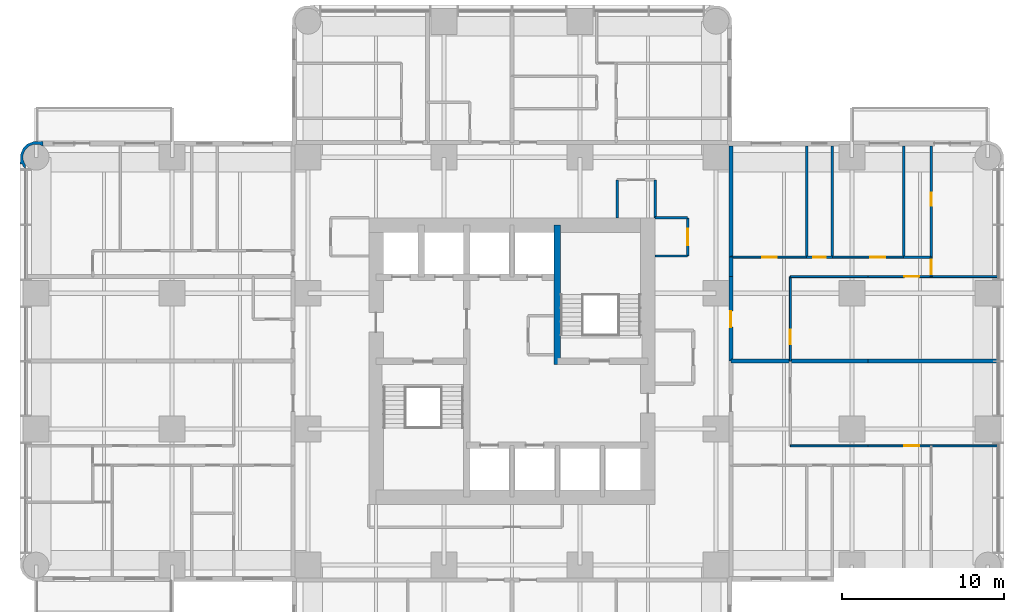
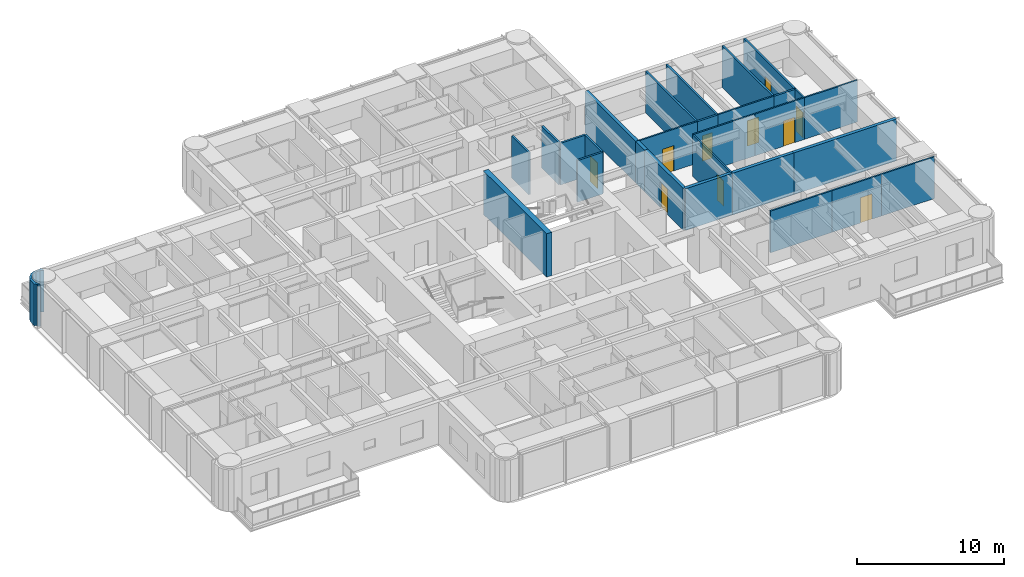
# One storey, part 10 of 14: 29 walls, 10 doors, 10 openings.
"""IFC4 building model written with IfcOpenShell, lengths in metres."""

from ifc_helpers import new_model, si_unit, direction, frame, frame_2d, origin, place, context, subcontext, project, spatial, polyline, rectangle, outline, extrude, material, layer, layer_set, type_object, element, fill, save


model = new_model("IFC4")

# Units and contexts
model_context = context("Model", 3, precision=1e-05, world=origin(), true_north=direction((0.0, 1.0)))
body_context = subcontext(model_context, "Body", "Model", "MODEL_VIEW")
ifc_project = project(units=[si_unit("LENGTHUNIT", "METRE"), si_unit("AREAUNIT", "SQUARE_METRE"), si_unit("VOLUMEUNIT", "CUBIC_METRE"), si_unit("PLANEANGLEUNIT", "RADIAN"), si_unit("MASSUNIT", "GRAM", prefix="KILO")], contexts=[model_context])

# Site, building, storey
site_placement = place(None, origin())
site = spatial("IfcSite", under=ifc_project, at=site_placement, CompositionType="ELEMENT")
building_placement = place(site_placement, origin())
building = spatial("IfcBuilding", under=site, at=building_placement, Name="Torre Alcanfor", CompositionType="ELEMENT")
storey_placement = place(building_placement, frame((0.0, 0.0, 126.89990234375)))
storey = spatial("IfcBuildingStorey", under=building, at=storey_placement, Name="L32", CompositionType="ELEMENT", Elevation=126.89990234375)

# Wall, opening, door
ifc_material_1 = material(Name="Concrete block masonry, hollow blocks NMX-C-404 9 MPa", Category="masonry")
ifc_layer_1 = layer(ifc_material_1, 0.25)
ifc_layer_set_1 = layer_set([ifc_layer_1], Name="Apartment entrance wall 250 EI 60")
wall_type_1 = type_object("IfcWallType", Name="Apartment entrance wall 250 EI 60", PredefinedType="PARTITIONING", material=ifc_layer_set_1)
wall_1_placement = place(storey_placement, frame((42.925048828125, 34.62890625, 0.0), z_axis=(0.0, 0.0, 1.0), x_axis=(0.0, -1.0, 0.0)))
wall_1 = element("IfcWall", 1, at=wall_1_placement, inside=storey, type_object=wall_type_1, Name="Partition L32-CORR / L32-E1-ZAG", PredefinedType="PARTITIONING", context=body_context, shape_type="SweptSolid", body=[
    extrude(rectangle(XDim=5.22900390625, YDim=0.25, at=frame_2d((2.614501953125, 0.0))), origin(), (0.0, 0.0, 1.0), 3.4501953125),
])
opening_1_placement = place(wall_1_placement, frame((2.12890625, 0.0, 0.0)))
opening_1 = element("IfcOpeningElement", 2, at=opening_1_placement, cuts=wall_1, Name="Opening D-A1", PredefinedType="OPENING", context=body_context, shape_type="SweptSolid", body=[
    extrude(rectangle(XDim=1.0, YDim=2.10009765625, at=frame_2d((0.5, 1.050048828125))), frame((0.0, 0.135009765625, 0.0), z_axis=(0.0, -1.0, 0.0), x_axis=(1.0, 0.0, 0.0)), (0.0, 0.0, 1.0), 0.27001953125),
])
ifc_material_2 = material(Name="Galvanised steel sheet ASTM A653", Category="steel")
door_type_1 = type_object("IfcDoorType", Name="Apartment entrance door FD60 1000x2100", OperationType="SINGLE_SWING_LEFT", PredefinedType="DOOR", material=ifc_material_2)
door_1_placement = place(opening_1_placement, origin())
door_1 = element("IfcDoor", 3, at=door_1_placement, inside=storey, type_object=door_type_1, Name="Apartment entrance L32-E1", OperationType="SINGLE_SWING_RIGHT", OverallHeight=2.10009765625, OverallWidth=1.0, PredefinedType="DOOR", context=body_context, shape_type="SweptSolid", body=[
    extrude(rectangle(XDim=1.0, YDim=2.10009765625, at=frame_2d((0.5, 1.050048828125))), frame((0.0, 0.02490234375, 0.0), z_axis=(0.0, -1.0, 0.0), x_axis=(1.0, 0.0, 0.0)), (0.0, 0.0, 1.0), 0.050048828125),
])
fill(opening_1, door_1)

# Walls
wall_2_placement = place(storey_placement, frame((42.925048828125, 35.8291015625, 0.0), z_axis=(0.0, 0.0, 1.0), x_axis=(0.0, -1.0, 0.0)))
element("IfcWall", 4, at=wall_2_placement, inside=storey, type_object=wall_type_1, Name="Partition L32-CORR / L32-E1-HALL", PredefinedType="PARTITIONING", context=body_context, shape_type="SweptSolid", body=[
    extrude(rectangle(XDim=1.2001953125, YDim=0.25, at=frame_2d((0.60009765625, 0.0))), origin(), (0.0, 0.0, 1.0), 3.4501953125),
])
wall_3_placement = place(storey_placement, frame((42.925048828125, 42.699951171875, 0.0), z_axis=(0.0, 0.0, 1.0), x_axis=(0.0, -1.0, 0.0)))
element("IfcWall", 5, at=wall_3_placement, inside=storey, type_object=wall_type_1, Name="Partition L32-CORR / L32-E1-BED3", PredefinedType="PARTITIONING", context=body_context, shape_type="SweptSolid", body=[
    extrude(rectangle(XDim=6.870849609375, YDim=0.25, at=frame_2d((3.435546875, 0.0))), origin(), (0.0, 0.0, 1.0), 3.4501953125),
])

# Wall, opening, door
ifc_material_3 = material(Name="Gypsum board on steel studs", Category="steel")
ifc_layer_2 = layer(ifc_material_3, 0.1201171875)
ifc_layer_set_2 = layer_set([ifc_layer_2], Name="Apartment partition 120")
wall_type_2 = type_object("IfcWallType", Name="Apartment partition 120", PredefinedType="PARTITIONING", material=ifc_layer_set_2)
wall_4_placement = place(storey_placement, frame((46.60009765625, 29.39990234375, 0.0), z_axis=(0.0, 0.0, 1.0), x_axis=(0.0, 1.0, 0.0)))
wall_4 = element("IfcWall", 6, at=wall_4_placement, inside=storey, type_object=wall_type_2, Name="Partition L32-E1-ZAG / L32-E1-KITCHEN", PredefinedType="PARTITIONING", context=body_context, shape_type="SweptSolid", body=[
    extrude(rectangle(XDim=5.22900390625, YDim=0.1201171875, at=frame_2d((2.614501953125, 0.0))), origin(), (0.0, 0.0, 1.0), 3.4501953125),
])
opening_2_placement = place(wall_4_placement, frame((1.050048828125, 0.0, 0.0)))
opening_2 = element("IfcOpeningElement", 7, at=opening_2_placement, cuts=wall_4, Name="Opening D-R1", PredefinedType="OPENING", context=body_context, shape_type="SweptSolid", body=[
    extrude(rectangle(XDim=0.89990234375, YDim=2.10009765625, at=frame_2d((0.449951171875, 1.050048828125))), frame((0.0, 0.070068359375, 0.0), z_axis=(0.0, -1.0, 0.0), x_axis=(1.0, 0.0, 0.0)), (0.0, 0.0, 1.0), 0.14013671875),
])
ifc_material_4 = material(Name="Timber", Category="wood")
door_type_2 = type_object("IfcDoorType", Name="Internal door 900x2100", OperationType="SINGLE_SWING_LEFT", PredefinedType="DOOR", material=ifc_material_4)
door_2_placement = place(opening_2_placement, frame((0.89990234375, 0.0, 0.0), z_axis=(0.0, 0.0, 1.0), x_axis=(-1.0, 0.0, 0.0)))
door_2 = element("IfcDoor", 8, at=door_2_placement, inside=storey, type_object=door_type_2, Name="Door L32-E1 kitchen", OperationType="SINGLE_SWING_RIGHT", OverallHeight=2.10009765625, OverallWidth=0.89990234375, PredefinedType="DOOR", context=body_context, shape_type="SweptSolid", body=[
    extrude(rectangle(XDim=0.89990234375, YDim=2.10009765625, at=frame_2d((0.449951171875, 1.050048828125))), frame((0.0, 0.025146484375, 0.0), z_axis=(0.0, -1.0, 0.0), x_axis=(1.0, 0.0, 0.0)), (0.0, 0.0, 1.0), 0.050048828125),
])
fill(opening_2, door_2)

# Wall
wall_5_placement = place(storey_placement, frame((51.39990234375, 34.62890625, 0.0), z_axis=(0.0, 0.0, 1.0), x_axis=(-1.0, 0.0, 0.0)))
element("IfcWall", 9, at=wall_5_placement, inside=storey, type_object=wall_type_2, Name="Partition L32-E1-KITCHEN / L32-E1-HALL", PredefinedType="PARTITIONING", context=body_context, shape_type="SweptSolid", body=[
    extrude(rectangle(XDim=4.7998046875, YDim=0.1201171875, at=frame_2d((2.39990234375, 0.0))), origin(), (0.0, 0.0, 1.0), 3.4501953125),
])

# Wall, opening, door
wall_6_placement = place(storey_placement, frame((55.300048828125, 34.62890625, 0.0), z_axis=(0.0, 0.0, 1.0), x_axis=(-1.0, 0.0, 0.0)))
wall_6 = element("IfcWall", 10, at=wall_6_placement, inside=storey, type_object=wall_type_2, Name="Partition L32-E1-LIVING / L32-E1-HALL", PredefinedType="PARTITIONING", context=body_context, shape_type="SweptSolid", body=[
    extrude(rectangle(XDim=3.900146484375, YDim=0.1201171875, at=frame_2d((1.9501953125, 0.0))), origin(), (0.0, 0.0, 1.0), 3.4501953125),
])
opening_3_placement = place(wall_6_placement, frame((0.75, 0.0, 0.0)))
opening_3 = element("IfcOpeningElement", 11, at=opening_3_placement, cuts=wall_6, Name="Opening D-R1", PredefinedType="OPENING", context=body_context, shape_type="SweptSolid", body=[
    extrude(rectangle(XDim=0.89990234375, YDim=2.10009765625, at=frame_2d((0.449951171875, 1.050048828125))), frame((0.0, 0.070068359375, 0.0), z_axis=(0.0, -1.0, 0.0), x_axis=(1.0, 0.0, 0.0)), (0.0, 0.0, 1.0), 0.14013671875),
])
door_3_placement = place(opening_3_placement, origin())
door_3 = element("IfcDoor", 12, at=door_3_placement, inside=storey, type_object=door_type_2, Name="Door L32-E1 living", OperationType="SINGLE_SWING_RIGHT", OverallHeight=2.10009765625, OverallWidth=0.89990234375, PredefinedType="DOOR", context=body_context, shape_type="SweptSolid", body=[
    extrude(rectangle(XDim=0.89990234375, YDim=2.10009765625, at=frame_2d((0.449951171875, 1.050048828125))), frame((0.0, 0.02490234375, 0.0), z_axis=(0.0, -1.0, 0.0), x_axis=(1.0, 0.0, 0.0)), (0.0, 0.0, 1.0), 0.050048828125),
])
fill(opening_3, door_3)

# Wall
wall_7_placement = place(storey_placement, frame((59.449951171875, 34.62890625, 0.0), z_axis=(0.0, 0.0, 1.0), x_axis=(-1.0, 0.0, 0.0)))
element("IfcWall", 13, at=wall_7_placement, inside=storey, type_object=wall_type_2, Name="Partition L32-E1-LIVING / L32-E1-MASTER", PredefinedType="PARTITIONING", context=body_context, shape_type="SweptSolid", body=[
    extrude(rectangle(XDim=4.14990234375, YDim=0.1201171875, at=frame_2d((2.074951171875, 0.0))), origin(), (0.0, 0.0, 1.0), 3.4501953125),
])

# Wall, opening, door
wall_8_placement = place(storey_placement, frame((47.60009765625, 35.8291015625, 0.0), z_axis=(0.0, 0.0, 1.0), x_axis=(-1.0, 0.0, 0.0)))
wall_8 = element("IfcWall", 14, at=wall_8_placement, inside=storey, type_object=wall_type_2, Name="Partition L32-E1-HALL / L32-E1-BED3", PredefinedType="PARTITIONING", context=body_context, shape_type="SweptSolid", body=[
    extrude(rectangle(XDim=4.675048828125, YDim=0.1201171875, at=frame_2d((2.33740234375, 0.0))), origin(), (0.0, 0.0, 1.0), 3.4501953125),
])
opening_4_placement = place(wall_8_placement, frame((1.85009765625, 0.0, 0.0)))
opening_4 = element("IfcOpeningElement", 15, at=opening_4_placement, cuts=wall_8, Name="Opening D-R1", PredefinedType="OPENING", context=body_context, shape_type="SweptSolid", body=[
    extrude(rectangle(XDim=0.89990234375, YDim=2.10009765625, at=frame_2d((0.449951171875, 1.050048828125))), frame((0.0, 0.070068359375, 0.0), z_axis=(0.0, -1.0, 0.0), x_axis=(1.0, 0.0, 0.0)), (0.0, 0.0, 1.0), 0.14013671875),
])
door_4_placement = place(opening_4_placement, frame((0.89990234375, 0.0, 0.0), z_axis=(0.0, 0.0, 1.0), x_axis=(-1.0, 0.0, 0.0)))
door_4 = element("IfcDoor", 16, at=door_4_placement, inside=storey, type_object=door_type_2, Name="Door L32-E1 bed3", OperationType="SINGLE_SWING_RIGHT", OverallHeight=2.10009765625, OverallWidth=0.89990234375, PredefinedType="DOOR", context=body_context, shape_type="SweptSolid", body=[
    extrude(rectangle(XDim=0.89990234375, YDim=2.10009765625, at=frame_2d((0.449951171875, 1.050048828125))), frame((0.0, 0.025146484375, 0.0), z_axis=(0.0, -1.0, 0.0), x_axis=(1.0, 0.0, 0.0)), (0.0, 0.0, 1.0), 0.050048828125),
])
fill(opening_4, door_4)

wall_9_placement = place(storey_placement, frame((53.60009765625, 35.8291015625, 0.0), z_axis=(0.0, 0.0, 1.0), x_axis=(-1.0, 0.0, 0.0)))
wall_9 = element("IfcWall", 17, at=wall_9_placement, inside=storey, type_object=wall_type_2, Name="Partition L32-E1-HALL / L32-E1-BED2", PredefinedType="PARTITIONING", context=body_context, shape_type="SweptSolid", body=[
    extrude(rectangle(XDim=4.400146484375, YDim=0.1201171875, at=frame_2d((2.2001953125, 0.0))), origin(), (0.0, 0.0, 1.0), 3.4501953125),
])
opening_5_placement = place(wall_9_placement, frame((1.14990234375, 0.0, 0.0)))
opening_5 = element("IfcOpeningElement", 18, at=opening_5_placement, cuts=wall_9, Name="Opening D-R1", PredefinedType="OPENING", context=body_context, shape_type="SweptSolid", body=[
    extrude(rectangle(XDim=0.89990234375, YDim=2.10009765625, at=frame_2d((0.449951171875, 1.050048828125))), frame((0.0, 0.070068359375, 0.0), z_axis=(0.0, -1.0, 0.0), x_axis=(1.0, 0.0, 0.0)), (0.0, 0.0, 1.0), 0.14013671875),
])
door_5_placement = place(opening_5_placement, frame((0.89990234375, 0.0, 0.0), z_axis=(0.0, 0.0, 1.0), x_axis=(-1.0, 0.0, 0.0)))
door_5 = element("IfcDoor", 19, at=door_5_placement, inside=storey, type_object=door_type_2, Name="Door L32-E1 bed2", OperationType="SINGLE_SWING_RIGHT", OverallHeight=2.10009765625, OverallWidth=0.89990234375, PredefinedType="DOOR", context=body_context, shape_type="SweptSolid", body=[
    extrude(rectangle(XDim=0.89990234375, YDim=2.10009765625, at=frame_2d((0.449951171875, 1.050048828125))), frame((0.0, 0.025146484375, 0.0), z_axis=(0.0, -1.0, 0.0), x_axis=(1.0, 0.0, 0.0)), (0.0, 0.0, 1.0), 0.050048828125),
])
fill(opening_5, door_5)

wall_10_placement = place(storey_placement, frame((55.300048828125, 34.62890625, 0.0), z_axis=(0.0, 0.0, 1.0), x_axis=(0.0, 1.0, 0.0)))
wall_10 = element("IfcWall", 20, at=wall_10_placement, inside=storey, type_object=wall_type_2, Name="Partition L32-E1-HALL / L32-E1-MASTER", PredefinedType="PARTITIONING", context=body_context, shape_type="SweptSolid", body=[
    extrude(rectangle(XDim=1.2001953125, YDim=0.1201171875, at=frame_2d((0.60009765625, 0.0))), origin(), (0.0, 0.0, 1.0), 3.4501953125),
])
opening_6_placement = place(wall_10_placement, frame((0.15087890625, 0.0, 0.0)))
opening_6 = element("IfcOpeningElement", 21, at=opening_6_placement, cuts=wall_10, Name="Opening D-R1", PredefinedType="OPENING", context=body_context, shape_type="SweptSolid", body=[
    extrude(rectangle(XDim=0.89990234375, YDim=2.10009765625, at=frame_2d((0.449951171875, 1.050048828125))), frame((0.0, 0.070068359375, 0.0), z_axis=(0.0, -1.0, 0.0), x_axis=(1.0, 0.0, 0.0)), (0.0, 0.0, 1.0), 0.14013671875),
])
door_6_placement = place(opening_6_placement, frame((0.89990234375, 0.0, 0.0), z_axis=(0.0, 0.0, 1.0), x_axis=(-1.0, 0.0, 0.0)))
door_6 = element("IfcDoor", 22, at=door_6_placement, inside=storey, type_object=door_type_2, Name="Door L32-E1 master", OperationType="SINGLE_SWING_RIGHT", OverallHeight=2.10009765625, OverallWidth=0.89990234375, PredefinedType="DOOR", context=body_context, shape_type="SweptSolid", body=[
    extrude(rectangle(XDim=0.89990234375, YDim=2.10009765625, at=frame_2d((0.449951171875, 1.050048828125))), frame((0.0, 0.025146484375, 0.0), z_axis=(0.0, -1.0, 0.0), x_axis=(1.0, 0.0, 0.0)), (0.0, 0.0, 1.0), 0.050048828125),
])
fill(opening_6, door_6)

# Wall
wall_11_placement = place(storey_placement, frame((51.39990234375, 24.1708984375, 0.0), z_axis=(0.0, 0.0, 1.0), x_axis=(-1.0, 0.0, 0.0)))
element("IfcWall", 23, at=wall_11_placement, inside=storey, type_object=wall_type_2, Name="Partition L32-E2-KITCHEN / L32-E2-HALL", PredefinedType="PARTITIONING", context=body_context, shape_type="SweptSolid", body=[
    extrude(rectangle(XDim=4.7998046875, YDim=0.1201171875, at=frame_2d((2.39990234375, 0.0))), origin(), (0.0, 0.0, 1.0), 3.4501953125),
])

# Wall, opening, door
wall_12_placement = place(storey_placement, frame((55.300048828125, 24.1708984375, 0.0), z_axis=(0.0, 0.0, 1.0), x_axis=(-1.0, 0.0, 0.0)))
wall_12 = element("IfcWall", 24, at=wall_12_placement, inside=storey, type_object=wall_type_2, Name="Partition L32-E2-LIVING / L32-E2-HALL", PredefinedType="PARTITIONING", context=body_context, shape_type="SweptSolid", body=[
    extrude(rectangle(XDim=3.900146484375, YDim=0.1201171875, at=frame_2d((1.9501953125, 0.0))), origin(), (0.0, 0.0, 1.0), 3.4501953125),
])
opening_7_placement = place(wall_12_placement, frame((0.75, 0.0, 0.0)))
opening_7 = element("IfcOpeningElement", 25, at=opening_7_placement, cuts=wall_12, Name="Opening D-R1", PredefinedType="OPENING", context=body_context, shape_type="SweptSolid", body=[
    extrude(rectangle(XDim=0.89990234375, YDim=2.10009765625, at=frame_2d((0.449951171875, 1.050048828125))), frame((0.0, 0.070068359375, 0.0), z_axis=(0.0, -1.0, 0.0), x_axis=(1.0, 0.0, 0.0)), (0.0, 0.0, 1.0), 0.14013671875),
])
door_7_placement = place(opening_7_placement, frame((0.89990234375, 0.0, 0.0), z_axis=(0.0, 0.0, 1.0), x_axis=(-1.0, 0.0, 0.0)))
door_7 = element("IfcDoor", 26, at=door_7_placement, inside=storey, type_object=door_type_2, Name="Door L32-E2 living", OperationType="SINGLE_SWING_LEFT", OverallHeight=2.10009765625, OverallWidth=0.89990234375, PredefinedType="DOOR", context=body_context, shape_type="SweptSolid", body=[
    extrude(rectangle(XDim=0.89990234375, YDim=2.10009765625, at=frame_2d((0.449951171875, 1.050048828125))), frame((0.0, 0.025146484375, 0.0), z_axis=(0.0, -1.0, 0.0), x_axis=(1.0, 0.0, 0.0)), (0.0, 0.0, 1.0), 0.050048828125),
])
fill(opening_7, door_7)

# Walls
wall_13_placement = place(storey_placement, frame((59.449951171875, 24.1708984375, 0.0), z_axis=(0.0, 0.0, 1.0), x_axis=(-1.0, 0.0, 0.0)))
element("IfcWall", 27, at=wall_13_placement, inside=storey, type_object=wall_type_2, Name="Partition L32-E2-LIVING / L32-E2-MASTER", PredefinedType="PARTITIONING", context=body_context, shape_type="SweptSolid", body=[
    extrude(rectangle(XDim=4.14990234375, YDim=0.1201171875, at=frame_2d((2.074951171875, 0.0))), origin(), (0.0, 0.0, 1.0), 3.4501953125),
])
ifc_material_5 = material(Name="Concrete f'c 70 MPa", Category="concrete")
ifc_layer_3 = layer(ifc_material_5, 0.39990234375)
ifc_layer_set_3 = layer_set([ifc_layer_3], Name="Core inner wall 400 f'c70")
wall_type_3 = type_object("IfcWallType", Name="Core inner wall 400 f'c70", PredefinedType="SHEAR", material=ifc_layer_set_3)
wall_14_placement = place(storey_placement, frame((32.199951171875, 29.199951171875, 0.0), z_axis=(0.0, 0.0, 1.0), x_axis=(0.0, 1.0, 0.0)))
element("IfcWall", 28, at=wall_14_placement, inside=storey, type_object=wall_type_3, Name="Core wall X322N L32", PredefinedType="SHEAR", context=body_context, shape_type="SweptSolid", body=[
    extrude(rectangle(XDim=8.60009765625, YDim=0.39990234375, at=frame_2d((4.300048828125, 0.0))), origin(), (0.0, 0.0, 1.0), 3.60009765625),
])
ifc_material_6 = material(Name="Concrete block masonry, hollow blocks NMX-C-404 9 MPa", Category="masonry")
ifc_layer_4 = layer(ifc_material_6, 0.25)
ifc_layer_set_4 = layer_set([ifc_layer_4], Name="Party wall 250 EI 60")
wall_type_4 = type_object("IfcWallType", Name="Party wall 250 EI 60", PredefinedType="PARTITIONING", material=ifc_layer_set_4)
wall_15_placement = place(storey_placement, frame((42.925048828125, 29.39990234375, 0.0), z_axis=(0.0, 0.0, 1.0), x_axis=(1.0, 0.0, 0.0)))
element("IfcWall", 29, at=wall_15_placement, inside=storey, type_object=wall_type_4, Name="Partition L32-E1-ZAG / L32-E2-ZAG", PredefinedType="PARTITIONING", context=body_context, shape_type="SweptSolid", body=[
    extrude(rectangle(XDim=3.675048828125, YDim=0.25, at=frame_2d((1.83740234375, 0.0))), origin(), (0.0, 0.0, 1.0), 3.4501953125),
])
wall_16_placement = place(storey_placement, frame((46.60009765625, 29.39990234375, 0.0), z_axis=(0.0, 0.0, 1.0), x_axis=(1.0, 0.0, 0.0)))
element("IfcWall", 30, at=wall_16_placement, inside=storey, type_object=wall_type_4, Name="Partition L32-E1-KITCHEN / L32-E2-KITCHEN", PredefinedType="PARTITIONING", context=body_context, shape_type="SweptSolid", body=[
    extrude(rectangle(XDim=4.7998046875, YDim=0.25, at=frame_2d((2.39990234375, 0.0))), origin(), (0.0, 0.0, 1.0), 3.4501953125),
])
wall_17_placement = place(storey_placement, frame((51.39990234375, 29.39990234375, 0.0), z_axis=(0.0, 0.0, 1.0), x_axis=(1.0, 0.0, 0.0)))
element("IfcWall", 31, at=wall_17_placement, inside=storey, type_object=wall_type_4, Name="Partition L32-E1-LIVING / L32-E2-LIVING", PredefinedType="PARTITIONING", context=body_context, shape_type="SweptSolid", body=[
    extrude(rectangle(XDim=8.050048828125, YDim=0.25, at=frame_2d((4.02490234375, 0.0))), origin(), (0.0, 0.0, 1.0), 3.4501953125),
])
ifc_material_7 = material(Name="Concrete block masonry, hollow blocks NMX-C-404 9 MPa", Category="masonry")
ifc_layer_5 = layer(ifc_material_7, 0.14990234375)
ifc_layer_set_5 = layer_set([ifc_layer_5], Name="Residents' room partition 150")
wall_type_5 = type_object("IfcWallType", Name="Residents' room partition 150", PredefinedType="PARTITIONING", material=ifc_layer_set_5)
for number, where, z_axis, x_axis, name in (
    (32, (38.25, 38.25, 0.0), (0.0, 0.0, 1.0), (0.0, 1.0, 0.0), "Partition L32-CORR / L32-G01"),
    (33, (35.89990234375, 40.60009765625, 0.0), (0.0, 0.0, 1.0), (0.0, -1.0, 0.0), "Partition L32-CORR / L32-G01"),
):
    element("IfcWall", number, at=place(storey_placement, frame(where, z_axis=z_axis, x_axis=x_axis)), inside=storey, type_object=wall_type_5, Name=name, PredefinedType="PARTITIONING", context=body_context, shape_type="SweptSolid", body=[
        extrude(rectangle(XDim=2.35009765625, YDim=0.14990234375, at=frame_2d((1.175048828125, 0.0))), origin(), (0.0, 0.0, 1.0), 3.4501953125),
    ])
wall_18_placement = place(storey_placement, frame((38.25, 35.89990234375, 0.0), z_axis=(0.0, 0.0, 1.0), x_axis=(1.0, 0.0, 0.0)))
element("IfcWall", 34, at=wall_18_placement, inside=storey, type_object=wall_type_5, Name="Partition L32-CORR / L32-G03", PredefinedType="PARTITIONING", context=body_context, shape_type="SweptSolid", body=[
    extrude(rectangle(XDim=2.0, YDim=0.14990234375, at=frame_2d((1.0, 0.0))), origin(), (0.0, 0.0, 1.0), 3.4501953125),
])

# Wall, opening, door
wall_19_placement = place(storey_placement, frame((40.25, 35.89990234375, 0.0), z_axis=(0.0, 0.0, 1.0), x_axis=(0.0, 1.0, 0.0)))
wall_19 = element("IfcWall", 35, at=wall_19_placement, inside=storey, type_object=wall_type_5, Name="Partition L32-CORR / L32-G03", PredefinedType="PARTITIONING", context=body_context, shape_type="SweptSolid", body=[
    extrude(rectangle(XDim=2.35009765625, YDim=0.14990234375, at=frame_2d((1.175048828125, 0.0))), origin(), (0.0, 0.0, 1.0), 3.4501953125),
])
opening_8_placement = place(wall_19_placement, frame((0.675048828125, 0.0, 0.0)))
opening_8 = element("IfcOpeningElement", 36, at=opening_8_placement, cuts=wall_19, Name="Opening D-M1", PredefinedType="OPENING", context=body_context, shape_type="SweptSolid", body=[
    extrude(rectangle(XDim=1.0, YDim=2.10009765625, at=frame_2d((0.5, 1.050048828125))), frame((0.0, 0.0849609375, 0.0), z_axis=(0.0, -1.0, 0.0), x_axis=(1.0, 0.0, 0.0)), (0.0, 0.0, 1.0), 0.169921875),
])
ifc_material_8 = material(Name="Timber", Category="wood")
door_type_3 = type_object("IfcDoorType", Name="Residents' room door 1000x2100", OperationType="SINGLE_SWING_LEFT", PredefinedType="DOOR", material=ifc_material_8)
door_8_placement = place(opening_8_placement, origin())
door_8 = element("IfcDoor", 37, at=door_8_placement, inside=storey, type_object=door_type_3, Name="Door L32-G03 residents' storage lockers", OperationType="SINGLE_SWING_LEFT", OverallHeight=2.10009765625, OverallWidth=1.0, PredefinedType="DOOR", context=body_context, shape_type="SweptSolid", body=[
    extrude(rectangle(XDim=1.0, YDim=2.10009765625, at=frame_2d((0.5, 1.050048828125))), frame((0.0, 0.02490234375, 0.0), z_axis=(0.0, -1.0, 0.0), x_axis=(1.0, 0.0, 0.0)), (0.0, 0.0, 1.0), 0.050048828125),
])
fill(opening_8, door_8)

# Walls
wall_20_placement = place(storey_placement, frame((40.25, 38.25, 0.0), z_axis=(0.0, 0.0, 1.0), x_axis=(-1.0, 0.0, 0.0)))
element("IfcWall", 38, at=wall_20_placement, inside=storey, type_object=wall_type_5, Name="Partition L32-CORR / L32-G03", PredefinedType="PARTITIONING", context=body_context, shape_type="SweptSolid", body=[
    extrude(rectangle(XDim=2.0, YDim=0.14990234375, at=frame_2d((1.0, 0.0))), origin(), (0.0, 0.0, 1.0), 3.4501953125),
])
ifc_material_9 = material(Name="Limestone cladding", Category="masonry")
ifc_layer_6 = layer(ifc_material_9, 0.0400390625, Name="Facing")
ifc_material_10 = material(Name="Ventilated air cavity")
ifc_layer_7 = layer(ifc_material_10, 0.02001953125, ventilated=True, Name="Ventilated joint")
ifc_material_11 = material(Name="Mineral wool insulation", Category="insulation")
ifc_layer_8 = layer(ifc_material_11, 0.10009765625, Name="Insulation")
ifc_material_12 = material(Name="Concrete f'c 35 MPa", Category="concrete")
ifc_layer_9 = layer(ifc_material_12, 0.139892578125, Name="Backing")
ifc_layer_set_6 = layer_set([ifc_layer_6, ifc_layer_7, ifc_layer_8, ifc_layer_9], Name="Rounded corner pier stone-clad 300")
wall_type_6 = type_object("IfcWallType", Name="Rounded corner pier stone-clad 300", PredefinedType="SOLIDWALL", material=ifc_layer_set_6)
wall_21_placement = place(storey_placement, frame((0.326823795, 42.817059488, 0.0), z_axis=(0.0, 0.0, 1.0), x_axis=(-0.93923434088, 0.343276641956, 0.0)))
element("IfcWall", 39, at=wall_21_placement, inside=storey, type_object=wall_type_6, Name="Corner pier L32 13", PredefinedType="SOLIDWALL", context=body_context, shape_type="SweptSolid", body=[
    extrude(outline(polyline([(-0.005838677930572508, -0.19691017002240385), (0.2656725893480827, -0.05504723679548061), (0.5353355739365452, 0.04351070532859805), (0.8164808166219237, 0.3019667887790936), (0.9774010351300944, 0.6482698031873169), (0.9936526519661447, 1.0298167590229048), (0.8950947098420661, 1.2994797436113674), (0.8284439015683875, 1.5984799607341533), (0.6967504599124257, 1.5690632792769885), (0.6041212101125378, 1.6695954267902182), (0.39402236502400456, 1.7672242392847775), (0.4711255170258348, 1.5562634010012864), (0.5086990809760941, 1.538803702790635), (0.7241945805605172, 1.30408163961566), (0.8334799177457201, 1.0050675818747117), (0.8201287688443563, 0.6867053603325339), (0.6856890926223405, 0.3973889179155373), (0.4509670294473655, 0.1818934183311141), (0.15195297170641725, 0.07260808114591123), (-0.11630424425966698, 0.08399689688883538), (-0.12741215805145528, 0.07811756360614214), (-0.14598588403076265, 0.07132913391902448), (-0.005838677930572508, -0.19691017002240385)])), origin(), (0.0, 0.0, 1.0), 3.4501953125),
])

# Wall, opening, door
ifc_material_13 = material(Name="Cement board on steel studs", Category="steel")
ifc_layer_10 = layer(ifc_material_13, 0.14990234375)
ifc_layer_set_7 = layer_set([ifc_layer_10], Name="Wet area partition 150")
wall_type_7 = type_object("IfcWallType", Name="Wet area partition 150", PredefinedType="PARTITIONING", material=ifc_layer_set_7)
wall_22_placement = place(storey_placement, frame((49.199951171875, 35.8291015625, 0.0), z_axis=(0.0, 0.0, 1.0), x_axis=(-1.0, 0.0, 0.0)))
wall_22 = element("IfcWall", 40, at=wall_22_placement, inside=storey, type_object=wall_type_7, Name="Partition L32-E1-HALL / L32-E1-BATH1", PredefinedType="PARTITIONING", context=body_context, shape_type="SweptSolid", body=[
    extrude(rectangle(XDim=1.599853515625, YDim=0.14990234375, at=frame_2d((0.7998046875, 0.0))), origin(), (0.0, 0.0, 1.0), 3.4501953125),
])
opening_9_placement = place(wall_22_placement, frame((0.39990234375, 0.0, 0.0)))
opening_9 = element("IfcOpeningElement", 41, at=opening_9_placement, cuts=wall_22, Name="Opening D-R2", PredefinedType="OPENING", context=body_context, shape_type="SweptSolid", body=[
    extrude(rectangle(XDim=0.800048828125, YDim=2.10009765625, at=frame_2d((0.39990234375, 1.050048828125))), frame((0.0, 0.0849609375, 0.0), z_axis=(0.0, -1.0, 0.0), x_axis=(1.0, 0.0, 0.0)), (0.0, 0.0, 1.0), 0.169921875),
])
ifc_material_14 = material(Name="Timber", Category="wood")
door_type_4 = type_object("IfcDoorType", Name="Bathroom door 800x2100", OperationType="SINGLE_SWING_LEFT", PredefinedType="DOOR", material=ifc_material_14)
door_9_placement = place(opening_9_placement, frame((0.800048828125, 0.0, 0.0), z_axis=(0.0, 0.0, 1.0), x_axis=(-1.0, 0.0, 0.0)))
door_9 = element("IfcDoor", 42, at=door_9_placement, inside=storey, type_object=door_type_4, Name="Door L32-E1 bath1", OperationType="SINGLE_SWING_RIGHT", OverallHeight=2.10009765625, OverallWidth=0.800048828125, PredefinedType="DOOR", context=body_context, shape_type="SweptSolid", body=[
    extrude(rectangle(XDim=0.800048828125, YDim=2.10009765625, at=frame_2d((0.400146484375, 1.050048828125))), frame((0.0, 0.025146484375, 0.0), z_axis=(0.0, -1.0, 0.0), x_axis=(1.0, 0.0, 0.0)), (0.0, 0.0, 1.0), 0.050048828125),
])
fill(opening_9, door_9)

# Walls
wall_23_placement = place(storey_placement, frame((55.300048828125, 35.8291015625, 0.0), z_axis=(0.0, 0.0, 1.0), x_axis=(-1.0, 0.0, 0.0)))
element("IfcWall", 43, at=wall_23_placement, inside=storey, type_object=wall_type_7, Name="Partition L32-E1-HALL / L32-E1-ENSBATH", PredefinedType="PARTITIONING", context=body_context, shape_type="SweptSolid", body=[
    extrude(rectangle(XDim=1.699951171875, YDim=0.14990234375, at=frame_2d((0.85009765625, 0.0))), origin(), (0.0, 0.0, 1.0), 3.4501953125),
])
for number, where, z_axis, x_axis, name in (
    (44, (47.60009765625, 35.8291015625, 0.0), (0.0, 0.0, 1.0), (0.0, 1.0, 0.0), "Partition L32-E1-BED3 / L32-E1-BATH1"),
    (45, (49.199951171875, 35.8291015625, 0.0), (0.0, 0.0, 1.0), (0.0, 1.0, 0.0), "Partition L32-E1-BATH1 / L32-E1-BED2"),
    (46, (53.60009765625, 35.8291015625, 0.0), (0.0, 0.0, 1.0), (0.0, 1.0, 0.0), "Partition L32-E1-BED2 / L32-E1-ENSBATH"),
):
    element("IfcWall", number, at=place(storey_placement, frame(where, z_axis=z_axis, x_axis=x_axis)), inside=storey, type_object=wall_type_7, Name=name, PredefinedType="PARTITIONING", context=body_context, shape_type="SweptSolid", body=[
        extrude(rectangle(XDim=6.870849609375, YDim=0.14990234375, at=frame_2d((3.435546875, 0.0))), origin(), (0.0, 0.0, 1.0), 3.4501953125),
    ])

# Wall, opening, door
wall_24_placement = place(storey_placement, frame((55.300048828125, 35.8291015625, 0.0), z_axis=(0.0, 0.0, 1.0), x_axis=(0.0, 1.0, 0.0)))
wall_24 = element("IfcWall", 47, at=wall_24_placement, inside=storey, type_object=wall_type_7, Name="Partition L32-E1-ENSBATH / L32-E1-MASTER", PredefinedType="PARTITIONING", context=body_context, shape_type="SweptSolid", body=[
    extrude(rectangle(XDim=6.870849609375, YDim=0.14990234375, at=frame_2d((3.435546875, 0.0))), origin(), (0.0, 0.0, 1.0), 3.4501953125),
])
opening_10_placement = place(wall_24_placement, frame((3.1708984375, 0.0, 0.0)))
opening_10 = element("IfcOpeningElement", 48, at=opening_10_placement, cuts=wall_24, Name="Opening D-R2", PredefinedType="OPENING", context=body_context, shape_type="SweptSolid", body=[
    extrude(rectangle(XDim=0.800048828125, YDim=2.10009765625, at=frame_2d((0.39990234375, 1.050048828125))), frame((0.0, 0.0849609375, 0.0), z_axis=(0.0, -1.0, 0.0), x_axis=(1.0, 0.0, 0.0)), (0.0, 0.0, 1.0), 0.169921875),
])
door_10_placement = place(opening_10_placement, origin())
door_10 = element("IfcDoor", 49, at=door_10_placement, inside=storey, type_object=door_type_4, Name="Door L32-E1 ensbath", OperationType="SINGLE_SWING_RIGHT", OverallHeight=2.10009765625, OverallWidth=0.800048828125, PredefinedType="DOOR", context=body_context, shape_type="SweptSolid", body=[
    extrude(rectangle(XDim=0.800048828125, YDim=2.10009765625, at=frame_2d((0.39990234375, 1.050048828125))), frame((0.0, 0.02490234375, 0.0), z_axis=(0.0, -1.0, 0.0), x_axis=(1.0, 0.0, 0.0)), (0.0, 0.0, 1.0), 0.050048828125),
])
fill(opening_10, door_10)

save(model, "model.ifc")
